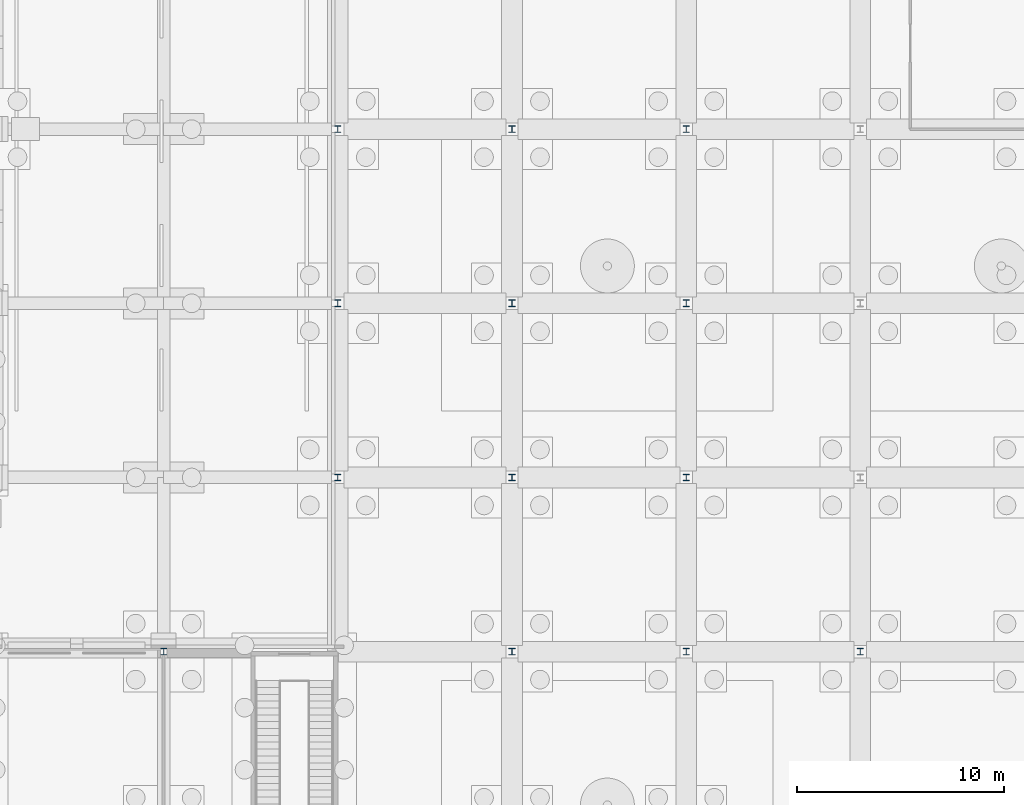
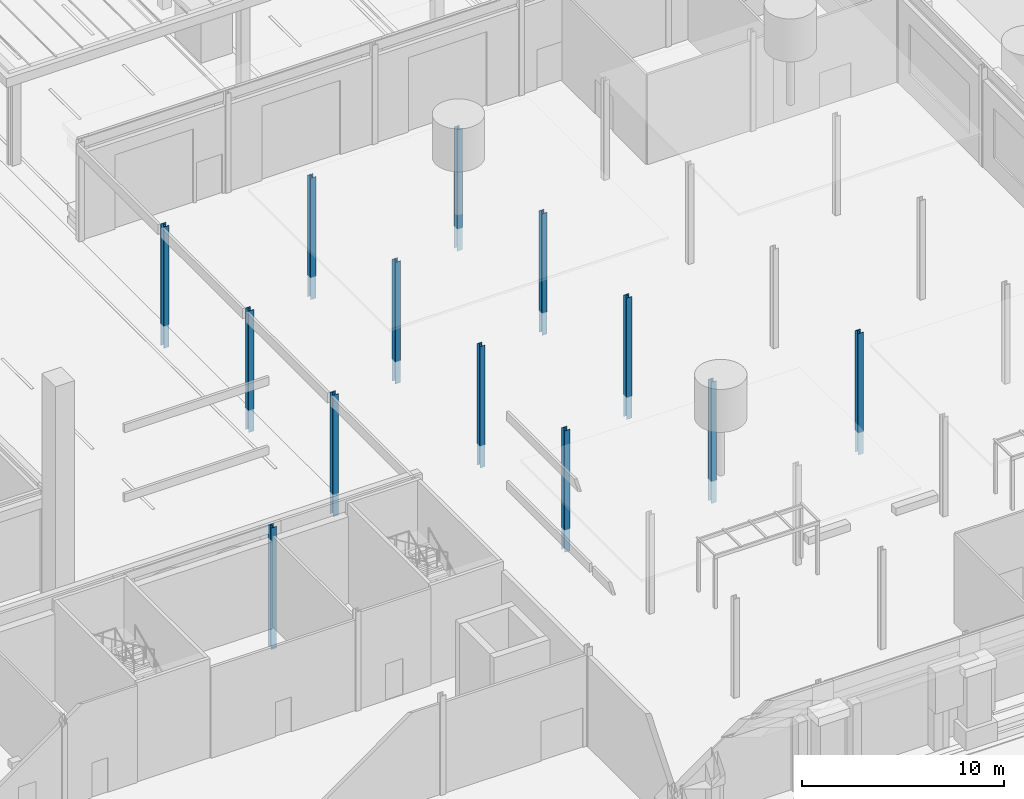
# One storey, part 29 of 222: 13 columns.
"""IFC4 building model written with IfcOpenShell, lengths in metres."""

from ifc_helpers import new_model, si_unit, direction, frame, origin, origin_2d, place, context, subcontext, project, spatial, i_section, extrude, material, material_profile, profile_set, type_object, element, save


model = new_model("IFC4")

# Units and contexts
model_context = context("Model", 3, precision=1e-05, world=origin(), true_north=direction((0.0, 1.0)))
body_context = subcontext(model_context, "Body", "Model", "MODEL_VIEW")
ifc_project = project(units=[si_unit("LENGTHUNIT", "METRE"), si_unit("AREAUNIT", "SQUARE_METRE"), si_unit("VOLUMEUNIT", "CUBIC_METRE"), si_unit("PLANEANGLEUNIT", "RADIAN"), si_unit("MASSUNIT", "GRAM", prefix="KILO")], contexts=[model_context])

# Site, building, storey
site_placement = place(None, origin())
site = spatial("IfcSite", under=ifc_project, at=site_placement, CompositionType="ELEMENT")
building_placement = place(site_placement, origin())
building = spatial("IfcBuilding", under=site, at=building_placement, Name="Sava Quay Ferry Terminal", CompositionType="ELEMENT")
storey_placement = place(building_placement, origin())
storey = spatial("IfcBuildingStorey", under=building, at=storey_placement, Name="L00", CompositionType="ELEMENT", Elevation=0.0)

# Columns
ifc_material = material(Name="Steel S355", Category="steel")
ifc_material_profile = material_profile(ifc_material, i_section(OverallWidth=0.300048828125, OverallDepth=0.320068359375, WebThickness=0.011474609375, FlangeThickness=0.0205078125, at=origin_2d()), Name="HE 320 B")
ifc_profile_set = profile_set([ifc_material_profile], Name="Steel S355")
column_type = type_object("IfcColumnType", Name="Column HE 320 B", PredefinedType="COLUMN", material=ifc_profile_set)
for number, where, z_axis, x_axis, name in (
    (1, (117.60009765625, 50.39990234375, -1.35009765625), (0.0, 0.0, 1.0), (1.0, 0.0, 0.0), "Column L00 117.6/50.4"),
    (2, (126.0, 58.800048828125, -1.35009765625), (0.0, 0.0, 1.0), (1.0, 0.0, 0.0), "Column L00 126/58.8"),
    (3, (126.0, 67.199951171875, -1.35009765625), (0.0, 0.0, 1.0), (1.0, 0.0, 0.0), "Column L00 126/67.2"),
    (4, (126.0, 75.60009765625, -1.35009765625), (0.0, 0.0, 1.0), (1.0, 0.0, 0.0), "Column L00 126/75.6"),
    (5, (134.39990234375, 50.39990234375, -1.35009765625), (0.0, 0.0, 1.0), (1.0, 0.0, 0.0), "Column L00 134.4/50.4"),
    (6, (134.39990234375, 58.800048828125, -1.35009765625), (0.0, 0.0, 1.0), (1.0, 0.0, 0.0), "Column L00 134.4/58.8"),
    (7, (134.39990234375, 67.199951171875, -1.35009765625), (0.0, 0.0, 1.0), (1.0, 0.0, 0.0), "Column L00 134.4/67.2"),
    (8, (134.39990234375, 75.60009765625, -1.35009765625), (0.0, 0.0, 1.0), (1.0, 0.0, 0.0), "Column L00 134.4/75.6"),
    (9, (142.800048828125, 50.39990234375, -1.35009765625), (0.0, 0.0, 1.0), (1.0, 0.0, 0.0), "Column L00 142.8/50.4"),
    (10, (142.800048828125, 58.800048828125, -1.35009765625), (0.0, 0.0, 1.0), (1.0, 0.0, 0.0), "Column L00 142.8/58.8"),
    (11, (142.800048828125, 67.199951171875, -1.35009765625), (0.0, 0.0, 1.0), (1.0, 0.0, 0.0), "Column L00 142.8/67.2"),
    (12, (142.800048828125, 75.60009765625, -1.35009765625), (0.0, 0.0, 1.0), (1.0, 0.0, 0.0), "Column L00 142.8/75.6"),
    (13, (151.199951171875, 50.39990234375, -1.35009765625), (0.0, 0.0, 1.0), (1.0, 0.0, 0.0), "Column L00 151.2/50.4"),
):
    element("IfcColumn", number, at=place(storey_placement, frame(where, z_axis=z_axis, x_axis=x_axis)), inside=storey, type_object=column_type, Name=name, PredefinedType="COLUMN", context=body_context, shape_type="SweptSolid", body=[
        extrude(i_section(OverallWidth=0.300048828125, OverallDepth=0.320068359375, WebThickness=0.011474609375, FlangeThickness=0.0205078125, at=origin_2d()), origin(), (0.0, 0.0, 1.0), 7.35009765625),
    ])

save(model, "model.ifc")
